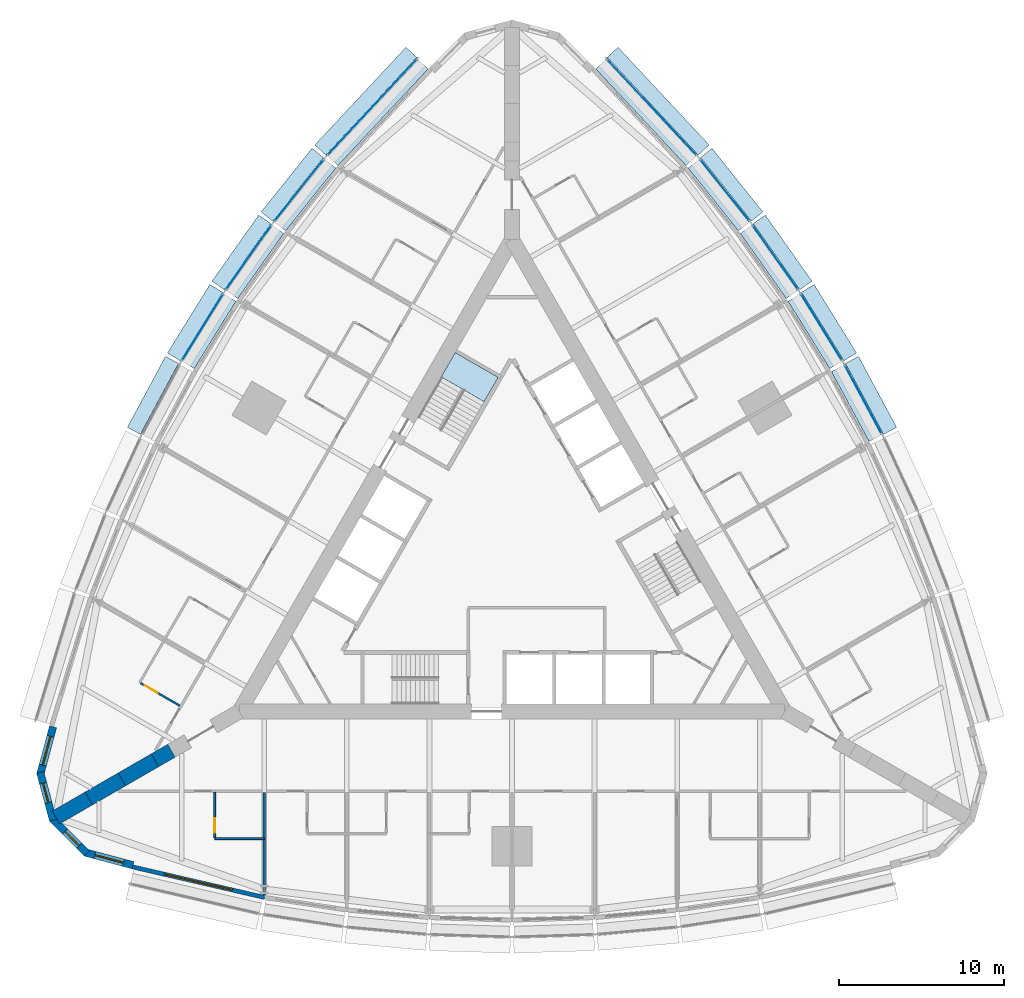
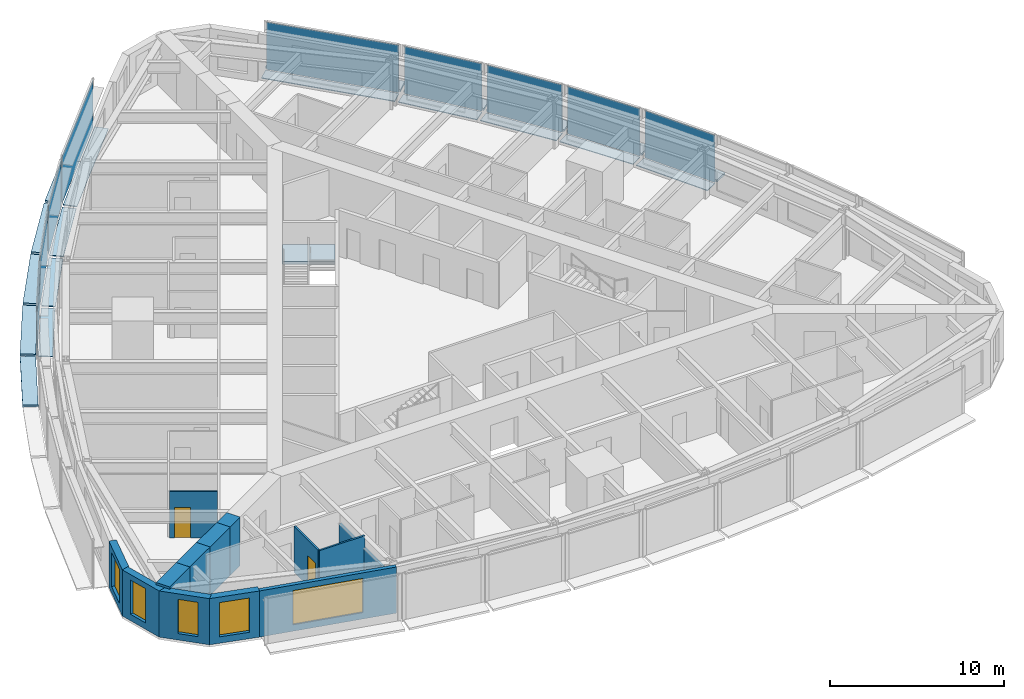
# One storey, part 7 of 14: 28 plates, 13 walls, 5 windows, 2 doors, 1 slab, 7 openings, 10 elements without a shape of their own.
"""IFC4 building model written with IfcOpenShell, lengths in metres."""

from ifc_helpers import new_model, si_unit, direction, frame, frame_2d, origin, origin_2d, place, context, subcontext, project, spatial, polyline, rectangle, outline, extrude, material, layer, layer_set, type_object, element, fill, aggregate, save


model = new_model("IFC4")

# Units and contexts
model_context = context("Model", 3, precision=1e-05, world=origin(), true_north=direction((0.0, 1.0)))
body_context = subcontext(model_context, "Body", "Model", "MODEL_VIEW")
ifc_project = project(units=[si_unit("LENGTHUNIT", "METRE"), si_unit("AREAUNIT", "SQUARE_METRE"), si_unit("VOLUMEUNIT", "CUBIC_METRE"), si_unit("PLANEANGLEUNIT", "RADIAN"), si_unit("MASSUNIT", "GRAM", prefix="KILO")], contexts=[model_context])

# Site, building, storey
site_placement = place(None, origin())
site = spatial("IfcSite", under=ifc_project, at=site_placement, CompositionType="ELEMENT")
building_placement = place(site_placement, origin())
building = spatial("IfcBuilding", under=site, at=building_placement, Name="Trikona Tower", CompositionType="ELEMENT")
storey_placement = place(building_placement, frame((0.0, 0.0, 59.10009765625)))
storey = spatial("IfcBuildingStorey", under=building, at=storey_placement, Name="L14", CompositionType="ELEMENT", Elevation=59.10009765625)

# Plates
ifc_material_1 = material(Name="Aluminium bar grating", Category="aluminium")
ifc_layer_1 = layer(ifc_material_1, 0.050048828125)
ifc_layer_set_1 = layer_set([ifc_layer_1], Name="Cavity catwalk grating")
plate_type_1 = type_object("IfcPlateType", Name="Cavity catwalk grating", PredefinedType="USERDEFINED", material=ifc_layer_set_1)
for number, where, z_axis, x_axis, name in (
    (1, (20.833740234375, 9.127197265625, -0.05029296875), (0.0, 0.0, 1.0), (-0.473422672721, 0.880835383572, 0.0), "Cavity catwalk L14-15"),
    (2, (18.3212890625, 13.47900390625, -0.05029296875), (0.0, 0.0, 1.0), (-0.526118935114, 0.85041099835, 0.0), "Cavity catwalk L14-16"),
):
    element("IfcPlate", number, at=place(storey_placement, frame(where, z_axis=z_axis, x_axis=x_axis)), inside=storey, type_object=plate_type_1, Name=name, ObjectType="CATWALK GRATING", PredefinedType="USERDEFINED", context=body_context, shape_type="SweptSolid", body=[
        extrude(rectangle(XDim=4.80224609375, YDim=0.820068359375, at=origin_2d()), origin(), (0.0, 0.0, 1.0), 0.050048828125),
    ])
plate_1_placement = place(storey_placement, frame((15.544189453125, 17.677734375, -0.05029296875), z_axis=(0.0, 0.0, 1.0), x_axis=(-0.576661909499, 0.816982889743, 0.0)))
element("IfcPlate", 3, at=plate_1_placement, inside=storey, type_object=plate_type_1, Name="Cavity catwalk L14-17", ObjectType="CATWALK GRATING", PredefinedType="USERDEFINED", context=body_context, shape_type="SweptSolid", body=[
    extrude(rectangle(XDim=4.82080078125, YDim=0.820068359375, at=origin_2d()), origin(), (0.0, 0.0, 1.0), 0.050048828125),
])
plate_2_placement = place(storey_placement, frame((12.502197265625, 21.72314453125, -0.05029296875), z_axis=(0.0, 0.0, 1.0), x_axis=(-0.624603618277, 0.780941944087, 0.0)))
element("IfcPlate", 4, at=plate_2_placement, inside=storey, type_object=plate_type_1, Name="Cavity catwalk L14-18", ObjectType="CATWALK GRATING", PredefinedType="USERDEFINED", context=body_context, shape_type="SweptSolid", body=[
    extrude(rectangle(XDim=4.857666015625, YDim=0.820068359375, at=origin_2d()), origin(), (0.0, 0.0, 1.0), 0.050048828125),
])
for number, where, z_axis, x_axis, name in (
    (5, (8.10107421875, 26.72314453125, -0.05029296875), (0.0, 0.0, 1.0), (-0.682298269147, 0.731073916864, 0.0), "Cavity catwalk L14-19"),
    (6, (-8.10107421875, 26.72314453125, -0.05029296875), (0.0, 0.0, 1.0), (-0.682298269147, -0.731073916864, 0.0), "Cavity catwalk L14-24"),
):
    element("IfcPlate", number, at=place(storey_placement, frame(where, z_axis=z_axis, x_axis=x_axis)), inside=storey, type_object=plate_type_1, Name=name, ObjectType="CATWALK GRATING", PredefinedType="USERDEFINED", context=body_context, shape_type="SweptSolid", body=[
        extrude(rectangle(XDim=8.01123046875, YDim=0.820068359375, at=origin_2d()), origin(), (0.0, 0.0, 1.0), 0.050048828125),
    ])
plate_3_placement = place(storey_placement, frame((-12.502197265625, 21.72314453125, -0.05029296875), z_axis=(0.0, 0.0, 1.0), x_axis=(-0.624603618277, -0.780941944087, 0.0)))
element("IfcPlate", 7, at=plate_3_placement, inside=storey, type_object=plate_type_1, Name="Cavity catwalk L14-25", ObjectType="CATWALK GRATING", PredefinedType="USERDEFINED", context=body_context, shape_type="SweptSolid", body=[
    extrude(rectangle(XDim=4.857666015625, YDim=0.820068359375, at=origin_2d()), origin(), (0.0, 0.0, 1.0), 0.050048828125),
])
plate_4_placement = place(storey_placement, frame((-15.544189453125, 17.677734375, -0.05029296875), z_axis=(0.0, 0.0, 1.0), x_axis=(-0.576661909499, -0.816982889743, 0.0)))
element("IfcPlate", 8, at=plate_4_placement, inside=storey, type_object=plate_type_1, Name="Cavity catwalk L14-26", ObjectType="CATWALK GRATING", PredefinedType="USERDEFINED", context=body_context, shape_type="SweptSolid", body=[
    extrude(rectangle(XDim=4.82080078125, YDim=0.820068359375, at=origin_2d()), origin(), (0.0, 0.0, 1.0), 0.050048828125),
])
plate_5_placement = place(storey_placement, frame((-18.3212890625, 13.47900390625, -0.05029296875), z_axis=(0.0, 0.0, 1.0), x_axis=(-0.526118935114, -0.85041099835, 0.0)))
element("IfcPlate", 9, at=plate_5_placement, inside=storey, type_object=plate_type_1, Name="Cavity catwalk L14-27", ObjectType="CATWALK GRATING", PredefinedType="USERDEFINED", context=body_context, shape_type="SweptSolid", body=[
    extrude(rectangle(XDim=4.80224609375, YDim=0.820068359375, at=origin_2d()), origin(), (0.0, 0.0, 1.0), 0.050048828125),
])

# Curtain wall, plate
ifc_material_2 = material(Name="Aluminium curtain wall system", Category="aluminium")
curtain_wall_type = type_object("IfcCurtainWallType", Name="Curtain wall DS1", PredefinedType="NOTDEFINED", material=ifc_material_2)
curtain_wall_1_placement = place(storey_placement, origin())
curtain_wall_1 = element("IfcCurtainWall", 10, at=curtain_wall_1_placement, inside=storey, type_object=curtain_wall_type, Name="Curtain wall DS1 L14", PredefinedType="NOTDEFINED")
ifc_material_3 = material(Name="Laminated clear glass", Category="glass")
ifc_layer_2 = layer(ifc_material_3, 0.028076171875)
ifc_layer_set_2 = layer_set([ifc_layer_2], Name="Glass panel DS1")
plate_type_2 = type_object("IfcPlateType", Name="Glass panel DS1", PredefinedType="CURTAIN_PANEL", material=ifc_layer_set_2)
plate_6_placement = place(storey_placement, frame((21.265380859375, 9.359130859375, 0.0), z_axis=(0.0, 0.0, 1.0), x_axis=(-0.473408350896, 0.880843080975, 0.0)))
plate_6 = element("IfcPlate", 11, at=plate_6_placement, type_object=plate_type_2, Name="CW-DS1 panel 1.1", PredefinedType="CURTAIN_PANEL", context=body_context, shape_type="SweptSolid", body=[
    extrude(rectangle(XDim=4.72216796875, YDim=0.028076171875, at=origin_2d()), origin(), (0.0, 0.0, 1.0), 3.320068359375),
])
aggregate(curtain_wall_1, [plate_6])

curtain_wall_2_placement = place(storey_placement, origin())
curtain_wall_2 = element("IfcCurtainWall", 12, at=curtain_wall_2_placement, inside=storey, type_object=curtain_wall_type, Name="Curtain wall DS1 L14", PredefinedType="NOTDEFINED")
plate_7_placement = place(storey_placement, frame((18.738037109375, 13.73681640625, 0.0), z_axis=(0.0, 0.0, 1.0), x_axis=(-0.526119790842, 0.850410468941, 0.0)))
plate_7 = element("IfcPlate", 13, at=plate_7_placement, type_object=plate_type_2, Name="CW-DS1 panel 1.1", PredefinedType="CURTAIN_PANEL", context=body_context, shape_type="SweptSolid", body=[
    extrude(rectangle(XDim=4.722412109375, YDim=0.028076171875, at=origin_2d()), origin(), (0.0, 0.0, 1.0), 3.320068359375),
])
aggregate(curtain_wall_2, [plate_7])

curtain_wall_3_placement = place(storey_placement, origin())
curtain_wall_3 = element("IfcCurtainWall", 14, at=curtain_wall_3_placement, inside=storey, type_object=curtain_wall_type, Name="Curtain wall DS1 L14", PredefinedType="NOTDEFINED")
plate_8_placement = place(storey_placement, frame((15.9443359375, 17.960205078125, 0.0), z_axis=(0.0, 0.0, 1.0), x_axis=(-0.576658362928, 0.816985393055, 0.0)))
plate_8 = element("IfcPlate", 15, at=plate_8_placement, type_object=plate_type_2, Name="CW-DS1 panel 1.1", PredefinedType="CURTAIN_PANEL", context=body_context, shape_type="SweptSolid", body=[
    extrude(rectangle(XDim=4.74072265625, YDim=0.028076171875, at=origin_2d()), origin(), (0.0, 0.0, 1.0), 3.320068359375),
])
aggregate(curtain_wall_3, [plate_8])

curtain_wall_4_placement = place(storey_placement, origin())
curtain_wall_4 = element("IfcCurtainWall", 16, at=curtain_wall_4_placement, inside=storey, type_object=curtain_wall_type, Name="Curtain wall DS1 L14", PredefinedType="NOTDEFINED")
plate_9_placement = place(storey_placement, frame((12.884765625, 22.029296875, 0.0), z_axis=(0.0, 0.0, 1.0), x_axis=(-0.624608599951, 0.780937959679, 0.0)))
plate_9 = element("IfcPlate", 17, at=plate_9_placement, type_object=plate_type_2, Name="CW-DS1 panel 1.1", PredefinedType="CURTAIN_PANEL", context=body_context, shape_type="SweptSolid", body=[
    extrude(rectangle(XDim=4.777587890625, YDim=0.028076171875, at=origin_2d()), origin(), (0.0, 0.0, 1.0), 3.320068359375),
])
aggregate(curtain_wall_4, [plate_9])

curtain_wall_5_placement = place(storey_placement, origin())
curtain_wall_5 = element("IfcCurtainWall", 18, at=curtain_wall_5_placement, inside=storey, type_object=curtain_wall_type, Name="Curtain wall DS1 L14", PredefinedType="NOTDEFINED")
plate_10_placement = place(storey_placement, frame((8.459228515625, 27.057373046875, 0.0), z_axis=(0.0, 0.0, 1.0), x_axis=(-0.682295351967, 0.731076639405, 0.0)))
plate_10 = element("IfcPlate", 19, at=plate_10_placement, type_object=plate_type_2, Name="CW-DS1 panel 1.1", PredefinedType="CURTAIN_PANEL", context=body_context, shape_type="SweptSolid", body=[
    extrude(rectangle(XDim=7.93115234375, YDim=0.028076171875, at=origin_2d()), origin(), (0.0, 0.0, 1.0), 3.320068359375),
])
aggregate(curtain_wall_5, [plate_10])

curtain_wall_6_placement = place(storey_placement, origin())
curtain_wall_6 = element("IfcCurtainWall", 20, at=curtain_wall_6_placement, inside=storey, type_object=curtain_wall_type, Name="Curtain wall DS1 L14", PredefinedType="NOTDEFINED")
plate_11_placement = place(storey_placement, frame((-8.459228515625, 27.057373046875, 0.0), z_axis=(0.0, 0.0, 1.0), x_axis=(-0.682295351967, -0.731076639405, 0.0)))
plate_11 = element("IfcPlate", 21, at=plate_11_placement, type_object=plate_type_2, Name="CW-DS1 panel 1.1", PredefinedType="CURTAIN_PANEL", context=body_context, shape_type="SweptSolid", body=[
    extrude(rectangle(XDim=7.93115234375, YDim=0.028076171875, at=origin_2d()), origin(), (0.0, 0.0, 1.0), 3.320068359375),
])
aggregate(curtain_wall_6, [plate_11])

curtain_wall_7_placement = place(storey_placement, origin())
curtain_wall_7 = element("IfcCurtainWall", 22, at=curtain_wall_7_placement, inside=storey, type_object=curtain_wall_type, Name="Curtain wall DS1 L14", PredefinedType="NOTDEFINED")
plate_12_placement = place(storey_placement, frame((-12.884765625, 22.029296875, 0.0), z_axis=(0.0, 0.0, 1.0), x_axis=(-0.624608599951, -0.780937959679, 0.0)))
plate_12 = element("IfcPlate", 23, at=plate_12_placement, type_object=plate_type_2, Name="CW-DS1 panel 1.1", PredefinedType="CURTAIN_PANEL", context=body_context, shape_type="SweptSolid", body=[
    extrude(rectangle(XDim=4.777587890625, YDim=0.028076171875, at=origin_2d()), origin(), (0.0, 0.0, 1.0), 3.320068359375),
])
aggregate(curtain_wall_7, [plate_12])

curtain_wall_8_placement = place(storey_placement, origin())
curtain_wall_8 = element("IfcCurtainWall", 24, at=curtain_wall_8_placement, inside=storey, type_object=curtain_wall_type, Name="Curtain wall DS1 L14", PredefinedType="NOTDEFINED")
plate_13_placement = place(storey_placement, frame((-15.9443359375, 17.960205078125, 0.0), z_axis=(0.0, 0.0, 1.0), x_axis=(-0.576658362928, -0.816985393055, 0.0)))
plate_13 = element("IfcPlate", 25, at=plate_13_placement, type_object=plate_type_2, Name="CW-DS1 panel 1.1", PredefinedType="CURTAIN_PANEL", context=body_context, shape_type="SweptSolid", body=[
    extrude(rectangle(XDim=4.74072265625, YDim=0.028076171875, at=origin_2d()), origin(), (0.0, 0.0, 1.0), 3.320068359375),
])
aggregate(curtain_wall_8, [plate_13])

curtain_wall_9_placement = place(storey_placement, origin())
curtain_wall_9 = element("IfcCurtainWall", 26, at=curtain_wall_9_placement, inside=storey, type_object=curtain_wall_type, Name="Curtain wall DS1 L14", PredefinedType="NOTDEFINED")
plate_14_placement = place(storey_placement, frame((-18.738037109375, 13.73681640625, 0.0), z_axis=(0.0, 0.0, 1.0), x_axis=(-0.526119790842, -0.850410468941, 0.0)))
plate_14 = element("IfcPlate", 27, at=plate_14_placement, type_object=plate_type_2, Name="CW-DS1 panel 1.1", PredefinedType="CURTAIN_PANEL", context=body_context, shape_type="SweptSolid", body=[
    extrude(rectangle(XDim=4.722412109375, YDim=0.028076171875, at=origin_2d()), origin(), (0.0, 0.0, 1.0), 3.320068359375),
])
aggregate(curtain_wall_9, [plate_14])

# Plates
ifc_material_4 = material(Name="Aluminium plate fin, pale anodised, on stainless steel outriggers", Category="steel")
ifc_layer_3 = layer(ifc_material_4, 0.14990234375)
ifc_layer_set_3 = layer_set([ifc_layer_3], Name="Outer skin fin 900")
plate_type_3 = type_object("IfcPlateType", Name="Outer skin fin 900", PredefinedType="USERDEFINED", material=ifc_layer_set_3)
for number, where, z_axis, x_axis, name in (
    (28, (21.732421875, 9.610107421875, 0.0), (0.0, 0.0, 1.0), (-0.473422672721, 0.880835383572, 0.0), "Outer skin fin L14-15"),
    (29, (19.188720703125, 14.015625, 0.0), (0.0, 0.0, 1.0), (-0.526118935114, 0.85041099835, 0.0), "Outer skin fin L14-16"),
):
    element("IfcPlate", number, at=place(storey_placement, frame(where, z_axis=z_axis, x_axis=x_axis)), inside=storey, type_object=plate_type_3, Name=name, ObjectType="FIN", PredefinedType="USERDEFINED", context=body_context, shape_type="SweptSolid", body=[
        extrude(rectangle(XDim=4.88232421875, YDim=0.89990234375, at=origin_2d()), origin(), (0.0, 0.0, 1.0), 0.14990234375),
    ])
plate_15_placement = place(storey_placement, frame((16.37744140625, 18.265869140625, 0.0), z_axis=(0.0, 0.0, 1.0), x_axis=(-0.576661909499, 0.816982889743, 0.0)))
element("IfcPlate", 30, at=plate_15_placement, inside=storey, type_object=plate_type_3, Name="Outer skin fin L14-17", ObjectType="FIN", PredefinedType="USERDEFINED", context=body_context, shape_type="SweptSolid", body=[
    extrude(rectangle(XDim=4.90087890625, YDim=0.89990234375, at=origin_2d()), origin(), (0.0, 0.0, 1.0), 0.14990234375),
])
plate_16_placement = place(storey_placement, frame((13.298583984375, 22.360107421875, 0.0), z_axis=(0.0, 0.0, 1.0), x_axis=(-0.624603618277, 0.780941944087, 0.0)))
element("IfcPlate", 31, at=plate_16_placement, inside=storey, type_object=plate_type_3, Name="Outer skin fin L14-18", ObjectType="FIN", PredefinedType="USERDEFINED", context=body_context, shape_type="SweptSolid", body=[
    extrude(rectangle(XDim=4.9375, YDim=0.89990234375, at=origin_2d()), origin(), (0.0, 0.0, 1.0), 0.14990234375),
])
for number, where, z_axis, x_axis, name in (
    (32, (8.8466796875, 27.419189453125, 0.0), (0.0, 0.0, 1.0), (-0.682298269147, 0.731073916864, 0.0), "Outer skin fin L14-19"),
    (33, (-8.8466796875, 27.419189453125, 0.0), (0.0, 0.0, 1.0), (-0.682298269147, -0.731073916864, 0.0), "Outer skin fin L14-24"),
):
    element("IfcPlate", number, at=place(storey_placement, frame(where, z_axis=z_axis, x_axis=x_axis)), inside=storey, type_object=plate_type_3, Name=name, ObjectType="FIN", PredefinedType="USERDEFINED", context=body_context, shape_type="SweptSolid", body=[
        extrude(rectangle(XDim=8.09130859375, YDim=0.89990234375, at=origin_2d()), origin(), (0.0, 0.0, 1.0), 0.14990234375),
    ])
plate_17_placement = place(storey_placement, frame((-13.298583984375, 22.360107421875, 0.0), z_axis=(0.0, 0.0, 1.0), x_axis=(-0.624603618277, -0.780941944087, 0.0)))
element("IfcPlate", 34, at=plate_17_placement, inside=storey, type_object=plate_type_3, Name="Outer skin fin L14-25", ObjectType="FIN", PredefinedType="USERDEFINED", context=body_context, shape_type="SweptSolid", body=[
    extrude(rectangle(XDim=4.9375, YDim=0.89990234375, at=origin_2d()), origin(), (0.0, 0.0, 1.0), 0.14990234375),
])
plate_18_placement = place(storey_placement, frame((-16.37744140625, 18.265869140625, 0.0), z_axis=(0.0, 0.0, 1.0), x_axis=(-0.576661909499, -0.816982889743, 0.0)))
element("IfcPlate", 35, at=plate_18_placement, inside=storey, type_object=plate_type_3, Name="Outer skin fin L14-26", ObjectType="FIN", PredefinedType="USERDEFINED", context=body_context, shape_type="SweptSolid", body=[
    extrude(rectangle(XDim=4.90087890625, YDim=0.89990234375, at=origin_2d()), origin(), (0.0, 0.0, 1.0), 0.14990234375),
])
for number, where, z_axis, x_axis, name in (
    (36, (-19.188720703125, 14.015625, 0.0), (0.0, 0.0, 1.0), (-0.526118935114, -0.85041099835, 0.0), "Outer skin fin L14-27"),
    (37, (-21.732421875, 9.610107421875, 0.0), (0.0, 0.0, 1.0), (-0.473422672721, -0.880835383572, 0.0), "Outer skin fin L14-28"),
):
    element("IfcPlate", number, at=place(storey_placement, frame(where, z_axis=z_axis, x_axis=x_axis)), inside=storey, type_object=plate_type_3, Name=name, ObjectType="FIN", PredefinedType="USERDEFINED", context=body_context, shape_type="SweptSolid", body=[
        extrude(rectangle(XDim=4.88232421875, YDim=0.89990234375, at=origin_2d()), origin(), (0.0, 0.0, 1.0), 0.14990234375),
    ])

# Stair, slab
ifc_material_5 = material(Name="Concrete f'c 5000 psi", Category="concrete")
stair_type = type_object("IfcStairType", Name="Core stair", PredefinedType="HALF_TURN_STAIR", material=ifc_material_5)
stair_placement = place(storey_placement, origin())
stair = element("IfcStair", 38, at=stair_placement, inside=storey, type_object=stair_type, Name="Stair C L14", PredefinedType="HALF_TURN_STAIR")
ifc_material_6 = material(Name="Concrete f'c 5000 psi", Category="concrete")
ifc_layer_4 = layer(ifc_material_6, 0.199951171875)
ifc_layer_set_4 = layer_set([ifc_layer_4], Name="Stair landing 200")
slab_type = type_object("IfcSlabType", Name="Stair landing 200", PredefinedType="LANDING", material=ifc_layer_set_4)
slab_placement = place(storey_placement, frame((0.0, 0.0, 1.5)))
slab = element("IfcSlab", 39, at=slab_placement, type_object=slab_type, Name="ST-C landing 2", PredefinedType="LANDING", context=body_context, shape_type="SweptSolid", body=[
    extrude(outline(polyline([(-0.837158203125, 10.702392578125), (-1.688720703125, 9.2275390625), (-4.286865234375, 10.7275390625), (-3.435302734375, 12.202392578125), (-0.837158203125, 10.702392578125)])), origin(), (0.0, 0.0, 1.0), 0.199951171875),
])
aggregate(stair, [slab])

# Wall
ifc_material_7 = material(Name="Metal stud and cement board", Category="gypsum")
ifc_layer_5 = layer(ifc_material_7, 0.1201171875)
ifc_layer_set_5 = layer_set([ifc_layer_5], Name="Bathroom wall 120")
wall_type_1 = type_object("IfcWallType", Name="Bathroom wall 120", PredefinedType="PLUMBINGWALL", material=ifc_layer_set_5)
wall_1_placement = place(storey_placement, frame((-18.0, -17.226318359375, 0.0), z_axis=(0.0, 0.0, 1.0), x_axis=(1.0, 0.0, 0.0)))
element("IfcWall", 40, at=wall_1_placement, inside=storey, type_object=wall_type_1, Name="Bathroom wall 1401", PredefinedType="PLUMBINGWALL", context=body_context, shape_type="SweptSolid", body=[
    extrude(rectangle(XDim=3.0, YDim=0.1201171875, at=frame_2d((1.5, 0.0))), origin(), (0.0, 0.0, 1.0), 3.23486328125),
])

# Wall, opening, door
wall_2_placement = place(storey_placement, frame((-18.0, -14.42626953125, 0.0), z_axis=(0.0, 0.0, 1.0), x_axis=(0.0, -1.0, 0.0)))
wall_2 = element("IfcWall", 41, at=wall_2_placement, inside=storey, type_object=wall_type_1, Name="Bathroom wall 1401", PredefinedType="PLUMBINGWALL", context=body_context, shape_type="SweptSolid", body=[
    extrude(rectangle(XDim=2.739990234375, YDim=0.1201171875, at=frame_2d((1.3701171875, 0.0))), origin(), (0.0, 0.0, 1.0), 3.23486328125),
])
opening_1_placement = place(wall_2_placement, frame((1.550048828125, 0.0, 0.0)))
opening_1 = element("IfcOpeningElement", 42, at=opening_1_placement, cuts=wall_2, Name="Opening D2", PredefinedType="OPENING", context=body_context, shape_type="SweptSolid", body=[
    extrude(rectangle(XDim=0.89990234375, YDim=2.1298828125, at=frame_2d((0.449951171875, 1.06494140625))), frame((0.0, 0.070068359375, 0.0), z_axis=(0.0, -1.0, 0.0), x_axis=(1.0, 0.0, 0.0)), (0.0, 0.0, 1.0), 0.14013671875),
])
ifc_material_8 = material(Name="Steel door frame with solid-core timber leaf", Category="steel")
door_type = type_object("IfcDoorType", Name="Bathroom door 900x2130", OperationType="SLIDING_TO_LEFT", PredefinedType="DOOR", material=ifc_material_8)
door_1_placement = place(opening_1_placement, origin())
door_1 = element("IfcDoor", 43, at=door_1_placement, inside=storey, type_object=door_type, Name="Bathroom door 1401", OperationType="SLIDING_TO_LEFT", OverallHeight=2.1298828125, OverallWidth=0.89990234375, PredefinedType="DOOR", context=body_context, shape_type="SweptSolid", body=[
    extrude(rectangle(XDim=0.89990234375, YDim=2.1298828125, at=frame_2d((0.449951171875, 1.06494140625))), frame((0.0, 0.02490234375, 0.0), z_axis=(0.0, -1.0, 0.0), x_axis=(1.0, 0.0, 0.0)), (0.0, 0.0, 1.0), 0.050048828125),
])
fill(opening_1, door_1)

wall_3_placement = place(storey_placement, frame((-20.10791015625, -9.17529296875, 0.0), z_axis=(0.0, 0.0, 1.0), x_axis=(-0.866035715982, 0.499982138324, 0.0)))
wall_3 = element("IfcWall", 44, at=wall_3_placement, inside=storey, type_object=wall_type_1, Name="Bathroom wall 1417", PredefinedType="PLUMBINGWALL", context=body_context, shape_type="SweptSolid", body=[
    extrude(rectangle(XDim=2.73974609375, YDim=0.1201171875, at=frame_2d((1.369873046875, 0.0))), origin(), (0.0, 0.0, 1.0), 3.23486328125),
])
opening_2_placement = place(wall_3_placement, frame((1.550048828125, 0.0, 0.0)))
opening_2 = element("IfcOpeningElement", 45, at=opening_2_placement, cuts=wall_3, Name="Opening D2", PredefinedType="OPENING", context=body_context, shape_type="SweptSolid", body=[
    extrude(rectangle(XDim=0.89990234375, YDim=2.1298828125, at=frame_2d((0.449951171875, 1.06494140625))), frame((0.0, 0.070068359375, 0.0), z_axis=(0.0, -1.0, 0.0), x_axis=(1.0, 0.0, 0.0)), (0.0, 0.0, 1.0), 0.14013671875),
])
door_2_placement = place(opening_2_placement, origin())
door_2 = element("IfcDoor", 46, at=door_2_placement, inside=storey, type_object=door_type, Name="Bathroom door 1417", OperationType="SLIDING_TO_LEFT", OverallHeight=2.1298828125, OverallWidth=0.89990234375, PredefinedType="DOOR", context=body_context, shape_type="SweptSolid", body=[
    extrude(rectangle(XDim=0.89990234375, YDim=2.1298828125, at=frame_2d((0.449951171875, 1.06494140625))), frame((0.0, 0.02490234375, 0.0), z_axis=(0.0, -1.0, 0.0), x_axis=(1.0, 0.0, 0.0)), (0.0, 0.0, 1.0), 0.050048828125),
])
fill(opening_2, door_2)

# Wall, opening, window
ifc_material_9 = material(Name="Brick-faced precast concrete", Category="masonry")
ifc_layer_6 = layer(ifc_material_9, 0.449951171875)
ifc_layer_set_6 = layer_set([ifc_layer_6], Name="Brick-faced corner wall 450")
wall_type_2 = type_object("IfcWallType", Name="Brick-faced corner wall 450", PredefinedType="SOLIDWALL", material=ifc_layer_set_6)
wall_4_placement = place(storey_placement, frame((-27.78271484375, -10.450439453125, 0.0), z_axis=(0.0, 0.0, 1.0), x_axis=(-0.258780998834, -0.965936019953, 0.0)))
wall_4 = element("IfcWall", 47, at=wall_4_placement, inside=storey, type_object=wall_type_2, Name="External wall L14-32", PredefinedType="SOLIDWALL", context=body_context, shape_type="SweptSolid", body=[
    extrude(rectangle(XDim=2.98876953125, YDim=0.449951171875, at=frame_2d((1.494384765625, 0.0))), origin(), (0.0, 0.0, 1.0), 3.23486328125),
])
opening_3_placement = place(wall_4_placement, frame((0.59423828125, 0.0, 0.449951171875)))
opening_3 = element("IfcOpeningElement", 48, at=opening_3_placement, cuts=wall_4, Name="Opening W1824", PredefinedType="OPENING", context=body_context, shape_type="SweptSolid", body=[
    extrude(rectangle(XDim=1.800048828125, YDim=2.39990234375, at=frame_2d((0.89990234375, 1.199951171875))), frame((0.0, 0.23486328125, 0.0), z_axis=(0.0, -1.0, 0.0), x_axis=(1.0, 0.0, 0.0)), (0.0, 0.0, 1.0), 0.469970703125),
])
ifc_material_10 = material(Name="Aluminium-framed double glazing", Category="aluminium")
window_type_1 = type_object("IfcWindowType", Name="Window 1800x2400", PartitioningType="SINGLE_PANEL", PredefinedType="WINDOW", material=ifc_material_10)
window_1_placement = place(opening_3_placement, origin())
window_1 = element("IfcWindow", 49, at=window_1_placement, inside=storey, type_object=window_type_1, Name="Window 1417", OverallHeight=2.39990234375, OverallWidth=1.800048828125, PartitioningType="SINGLE_PANEL", PredefinedType="WINDOW", context=body_context, shape_type="SweptSolid", body=[
    extrude(rectangle(XDim=1.800048828125, YDim=2.39990234375, at=frame_2d((0.89990234375, 1.199951171875))), frame((0.0, 0.030029296875, 0.0), z_axis=(0.0, -1.0, 0.0), x_axis=(1.0, 0.0, 0.0)), (0.0, 0.0, 1.0), 0.06005859375),
])
fill(opening_3, window_1)

wall_5_placement = place(storey_placement, frame((-28.55615234375, -13.220947265625, 0.0), z_axis=(0.0, 0.0, 1.0), x_axis=(0.258801419081, -0.965930548995, 0.0)))
wall_5 = element("IfcWall", 50, at=wall_5_placement, inside=storey, type_object=wall_type_2, Name="External wall L14-33", PredefinedType="SOLIDWALL", context=body_context, shape_type="SweptSolid", body=[
    extrude(outline(polyline([(2.988525390625, 0.22509765625), (2.928955078125, 0.22509765625), (2.437255859375, 0.09326171875), (2.402099609375, 0.22509765625), (0.0, 0.22509765625), (0.0, -0.22509765625), (2.988525390625, -0.22509765625), (2.988525390625, 0.22509765625)])), origin(), (0.0, 0.0, 1.0), 3.23486328125),
])
opening_4_placement = place(wall_5_placement, frame((0.676025390625, 0.0, 0.449951171875)))
opening_4 = element("IfcOpeningElement", 51, at=opening_4_placement, cuts=wall_5, Name="Opening W1224", PredefinedType="OPENING", context=body_context, shape_type="SweptSolid", body=[
    extrude(rectangle(XDim=1.199951171875, YDim=2.39990234375, at=frame_2d((0.60009765625, 1.199951171875))), frame((0.0, 0.23486328125, 0.0), z_axis=(0.0, -1.0, 0.0), x_axis=(1.0, 0.0, 0.0)), (0.0, 0.0, 1.0), 0.469970703125),
])
ifc_material_11 = material(Name="Aluminium-framed double glazing", Category="aluminium")
window_type_2 = type_object("IfcWindowType", Name="Window 1200x2400", PartitioningType="SINGLE_PANEL", PredefinedType="WINDOW", material=ifc_material_11)
window_2_placement = place(opening_4_placement, origin())
window_2 = element("IfcWindow", 52, at=window_2_placement, inside=storey, type_object=window_type_2, Name="Window 1417", OverallHeight=2.39990234375, OverallWidth=1.199951171875, PartitioningType="SINGLE_PANEL", PredefinedType="WINDOW", context=body_context, shape_type="SweptSolid", body=[
    extrude(rectangle(XDim=1.199951171875, YDim=2.39990234375, at=frame_2d((0.60009765625, 1.199951171875))), frame((0.0, 0.030029296875, 0.0), z_axis=(0.0, -1.0, 0.0), x_axis=(1.0, 0.0, 0.0)), (0.0, 0.0, 1.0), 0.06005859375),
])
fill(opening_4, window_2)

wall_6_placement = place(storey_placement, frame((-27.8408203125, -16.006591796875, 0.0), z_axis=(0.0, 0.0, 1.0), x_axis=(0.707025086683, -0.707188466253, 0.0)))
wall_6 = element("IfcWall", 53, at=wall_6_placement, inside=storey, type_object=wall_type_2, Name="External wall L14-34", PredefinedType="SOLIDWALL", context=body_context, shape_type="SweptSolid", body=[
    extrude(outline(polyline([(2.988525390625, 0.22509765625), (0.58642578125, 0.22509765625), (0.551025390625, 0.093017578125), (0.058837890625, 0.22509765625), (0.0, 0.22509765625), (0.0, -0.22509765625), (2.988525390625, -0.22509765625), (2.988525390625, 0.22509765625)])), origin(), (0.0, 0.0, 1.0), 3.23486328125),
])
opening_5_placement = place(wall_6_placement, frame((1.112548828125, 0.0, 0.449951171875)))
opening_5 = element("IfcOpeningElement", 54, at=opening_5_placement, cuts=wall_6, Name="Opening W1224", PredefinedType="OPENING", context=body_context, shape_type="SweptSolid", body=[
    extrude(rectangle(XDim=1.199951171875, YDim=2.39990234375, at=frame_2d((0.60009765625, 1.199951171875))), frame((0.0, 0.23486328125, 0.0), z_axis=(0.0, -1.0, 0.0), x_axis=(1.0, 0.0, 0.0)), (0.0, 0.0, 1.0), 0.469970703125),
])
window_3_placement = place(opening_5_placement, origin())
window_3 = element("IfcWindow", 55, at=window_3_placement, inside=storey, type_object=window_type_2, Name="Window 1401", OverallHeight=2.39990234375, OverallWidth=1.199951171875, PartitioningType="SINGLE_PANEL", PredefinedType="WINDOW", context=body_context, shape_type="SweptSolid", body=[
    extrude(rectangle(XDim=1.199951171875, YDim=2.39990234375, at=frame_2d((0.60009765625, 1.199951171875))), frame((0.0, 0.030029296875, 0.0), z_axis=(0.0, -1.0, 0.0), x_axis=(1.0, 0.0, 0.0)), (0.0, 0.0, 1.0), 0.06005859375),
])
fill(opening_5, window_3)

wall_7_placement = place(storey_placement, frame((-25.82861328125, -18.061767578125, 0.0), z_axis=(0.0, 0.0, 1.0), x_axis=(0.965930548995, -0.258801419081, 0.0)))
wall_7 = element("IfcWall", 56, at=wall_7_placement, inside=storey, type_object=wall_type_2, Name="External wall L14-35", PredefinedType="SOLIDWALL", context=body_context, shape_type="SweptSolid", body=[
    extrude(rectangle(XDim=2.988525390625, YDim=0.449951171875, at=frame_2d((1.494140625, 0.0))), origin(), (0.0, 0.0, 1.0), 3.23486328125),
])
opening_6_placement = place(wall_7_placement, frame((0.59423828125, 0.0, 0.449951171875)))
opening_6 = element("IfcOpeningElement", 57, at=opening_6_placement, cuts=wall_7, Name="Opening W1824", PredefinedType="OPENING", context=body_context, shape_type="SweptSolid", body=[
    extrude(rectangle(XDim=1.800048828125, YDim=2.39990234375, at=frame_2d((0.89990234375, 1.199951171875))), frame((0.0, 0.23486328125, 0.0), z_axis=(0.0, -1.0, 0.0), x_axis=(1.0, 0.0, 0.0)), (0.0, 0.0, 1.0), 0.469970703125),
])
window_4_placement = place(opening_6_placement, origin())
window_4 = element("IfcWindow", 58, at=window_4_placement, inside=storey, type_object=window_type_1, Name="Window 1401", OverallHeight=2.39990234375, OverallWidth=1.800048828125, PartitioningType="SINGLE_PANEL", PredefinedType="WINDOW", context=body_context, shape_type="SweptSolid", body=[
    extrude(rectangle(XDim=1.800048828125, YDim=2.39990234375, at=frame_2d((0.89990234375, 1.199951171875))), frame((0.0, 0.030029296875, 0.0), z_axis=(0.0, -1.0, 0.0), x_axis=(1.0, 0.0, 0.0)), (0.0, 0.0, 1.0), 0.06005859375),
])
fill(opening_6, window_4)

# Walls
ifc_material_12 = material(Name="Concrete f'c 10000 psi", Category="concrete")
ifc_layer_7 = layer(ifc_material_12, 0.89990234375)
ifc_layer_set_7 = layer_set([ifc_layer_7], Name="Buttress wall 900")
wall_type_3 = type_object("IfcWallType", Name="Buttress wall 900", PredefinedType="SHEAR", material=ifc_layer_set_7)
wall_8_placement = place(storey_placement, frame((-20.6103515625, -11.8994140625, 0.0), z_axis=(0.0, 0.0, 1.0), x_axis=(-0.866009537788, -0.500027479704, 0.0)))
element("IfcWall", 59, at=wall_8_placement, inside=storey, type_object=wall_type_3, Name="Buttress wall 3 part 2", PredefinedType="SHEAR", context=body_context, shape_type="SweptSolid", body=[
    extrude(rectangle(XDim=1.15478515625, YDim=0.89990234375, at=frame_2d((0.577392578125, 0.0))), origin(), (0.0, 0.0, 1.0), 3.39990234375),
])
for number, where, z_axis, x_axis, name in (
    (60, (-21.6103515625, -12.476806640625, 0.0), (0.0, 0.0, 1.0), (-0.866055313784, -0.499948190782, 0.0), "Buttress wall 3 part 3"),
    (61, (-23.6103515625, -13.63134765625, 0.0), (0.0, 0.0, 1.0), (-0.866009537788, -0.500027479704, 0.0), "Buttress wall 3 part 4"),
    (62, (-25.6103515625, -14.7861328125, 0.0), (0.0, 0.0, 1.0), (-0.866009537788, -0.500027479704, 0.0), "Buttress wall 3 part 5"),
):
    element("IfcWall", number, at=place(storey_placement, frame(where, z_axis=z_axis, x_axis=x_axis)), inside=storey, type_object=wall_type_3, Name=name, PredefinedType="SHEAR", context=body_context, shape_type="SweptSolid", body=[
        extrude(rectangle(XDim=2.309326171875, YDim=0.89990234375, at=frame_2d((1.15478515625, 0.0))), origin(), (0.0, 0.0, 1.0), 3.39990234375),
    ])

# Wall, opening, window
ifc_material_13 = material(Name="Insulated precast concrete spandrel panel", Category="concrete")
ifc_layer_8 = layer(ifc_material_13, 0.25)
ifc_layer_set_8 = layer_set([ifc_layer_8], Name="Inner skin wall 250")
wall_type_4 = type_object("IfcWallType", Name="Inner skin wall 250", PredefinedType="STANDARD", material=ifc_layer_set_8)
wall_9_placement = place(storey_placement, frame((-22.9716796875, -18.930908203125, 0.0), z_axis=(0.0, 0.0, 1.0), x_axis=(0.974279327392, -0.225343720163, 0.0)))
wall_9 = element("IfcWall", 63, at=wall_9_placement, inside=storey, type_object=wall_type_4, Name="External wall L14-00", PredefinedType="STANDARD", context=body_context, shape_type="SweptSolid", body=[
    extrude(rectangle(XDim=8.211181640625, YDim=0.25, at=frame_2d((4.10546875, 0.0))), origin(), (0.0, 0.0, 1.0), 3.23486328125),
])
opening_7_placement = place(wall_9_placement, frame((2.005615234375, 0.0, 0.449951171875)))
opening_7 = element("IfcOpeningElement", 64, at=opening_7_placement, cuts=wall_9, Name="Opening W4224", PredefinedType="OPENING", context=body_context, shape_type="SweptSolid", body=[
    extrude(rectangle(XDim=4.199951171875, YDim=2.39990234375, at=frame_2d((2.10009765625, 1.199951171875))), frame((0.0, 0.135009765625, 0.0), z_axis=(0.0, -1.0, 0.0), x_axis=(1.0, 0.0, 0.0)), (0.0, 0.0, 1.0), 0.27001953125),
])
ifc_material_14 = material(Name="Aluminium-framed double glazing", Category="aluminium")
window_type_3 = type_object("IfcWindowType", Name="Window 4200x2400", PartitioningType="SINGLE_PANEL", PredefinedType="WINDOW", material=ifc_material_14)
window_5_placement = place(opening_7_placement, origin())
window_5 = element("IfcWindow", 65, at=window_5_placement, inside=storey, type_object=window_type_3, Name="Window 1401", OverallHeight=2.39990234375, OverallWidth=4.199951171875, PartitioningType="SINGLE_PANEL", PredefinedType="WINDOW", context=body_context, shape_type="SweptSolid", body=[
    extrude(rectangle(XDim=4.199951171875, YDim=2.39990234375, at=frame_2d((2.10009765625, 1.199951171875))), frame((0.0, 0.030029296875, 0.0), z_axis=(0.0, -1.0, 0.0), x_axis=(1.0, 0.0, 0.0)), (0.0, 0.0, 1.0), 0.06005859375),
])
fill(opening_7, window_5)

# Wall
ifc_material_15 = material(Name="Metal stud and gypsum board, 1-hour acoustic", Category="gypsum")
ifc_layer_9 = layer(ifc_material_15, 0.14990234375)
ifc_layer_set_9 = layer_set([ifc_layer_9], Name="Party wall 150")
wall_type_5 = type_object("IfcWallType", Name="Party wall 150", PredefinedType="PARTITIONING", material=ifc_layer_set_9)
wall_10_placement = place(storey_placement, frame((-15.0, -14.42626953125, 0.0), z_axis=(0.0, 0.0, 1.0), x_axis=(0.0, -1.0, 0.0)))
element("IfcWall", 66, at=wall_10_placement, inside=storey, type_object=wall_type_5, Name="Partition L14 F1 u-15", PredefinedType="PARTITIONING", context=body_context, shape_type="SweptSolid", body=[
    extrude(rectangle(XDim=6.22021484375, YDim=0.14990234375, at=frame_2d((3.110107421875, 0.0))), origin(), (0.0, 0.0, 1.0), 2.38916015625),
])

save(model, "model.ifc")
